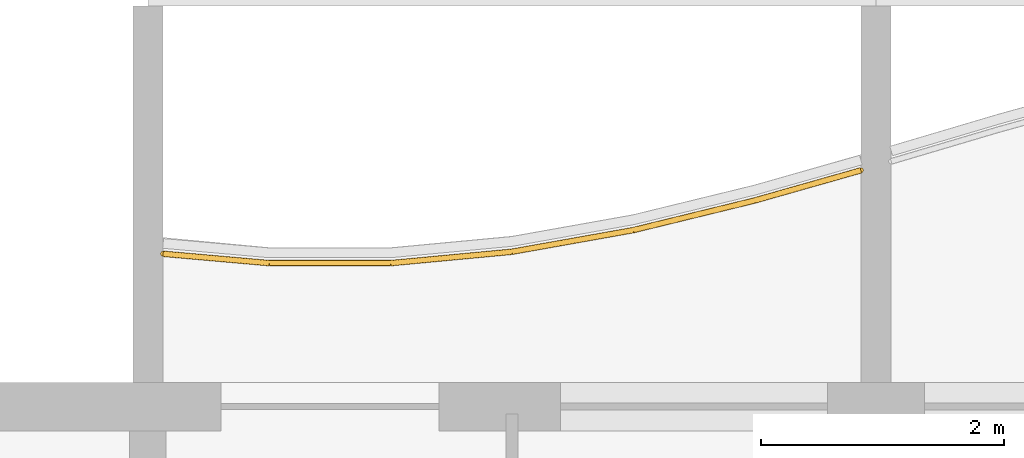
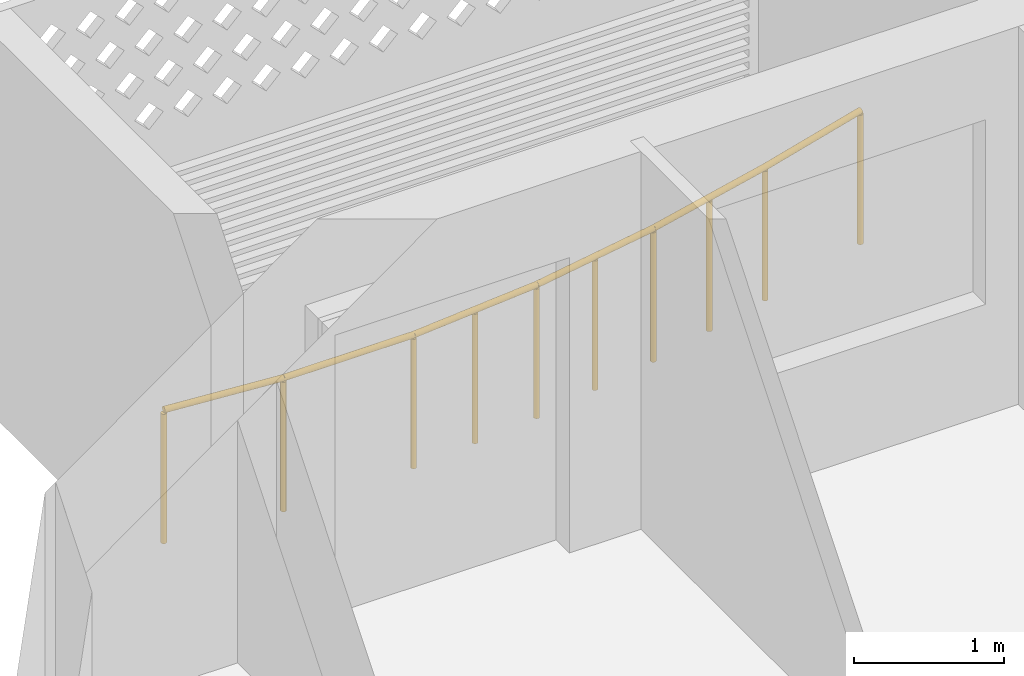
# One storey, part 17 of 32: 1 railing.
"""IFC4 building model written with IfcOpenShell, lengths in metres."""

from ifc_helpers import new_model, si_unit, direction, frame, origin, origin_2d, place, context, subcontext, project, spatial, circle, extrude, material, type_object, element, save


model = new_model("IFC4")

# Units and contexts
model_context = context("Model", 3, precision=1e-05, world=origin(), true_north=direction((0.0, 1.0)))
body_context = subcontext(model_context, "Body", "Model", "MODEL_VIEW")
ifc_project = project(units=[si_unit("LENGTHUNIT", "METRE"), si_unit("AREAUNIT", "SQUARE_METRE"), si_unit("VOLUMEUNIT", "CUBIC_METRE"), si_unit("PLANEANGLEUNIT", "RADIAN"), si_unit("MASSUNIT", "GRAM", prefix="KILO")], contexts=[model_context])

# Site, building, storey
site_placement = place(None, origin())
site = spatial("IfcSite", under=ifc_project, at=site_placement, CompositionType="ELEMENT")
building_placement = place(site_placement, origin())
building = spatial("IfcBuilding", under=site, at=building_placement, Name="Poui Terraces", CompositionType="ELEMENT")
storey_placement = place(building_placement, frame((0.0, 0.0, 152.10009765625)))
storey = spatial("IfcBuildingStorey", under=building, at=storey_placement, Name="L42", CompositionType="ELEMENT", Elevation=152.10009765625)

# Railing
ifc_material = material(Name="Painted steel fretwork", Category="steel")
railing_type = type_object("IfcRailingType", Name="BALCONY GUARD 1100", PredefinedType="GUARDRAIL", material=ifc_material)
railing_placement = place(storey_placement, frame((18.125, 43.6591796875, 0.0)))
element("IfcRailing", 1, at=railing_placement, inside=storey, type_object=railing_type, Name="BALCONY GUARD", PredefinedType="GUARDRAIL", context=body_context, shape_type="SweptSolid", body=[
    extrude(circle(Radius=0.02392578125, at=origin_2d()), frame((0.0, 0.0, 1.076171875), z_axis=(0.996135573706, -0.087828917771, 0.0), x_axis=(0.087828917771, 0.996135573706, 0.0)), (0.0, 0.0, 1.0), 0.87841796875),
    extrude(circle(Radius=0.02392578125, at=origin_2d()), frame((0.875, -0.0771484375, 1.076171875), z_axis=(1.0, 0.0, 0.0), x_axis=(0.0, 1.0, 0.0)), (0.0, 0.0, 1.0), 1.0),
    extrude(circle(Radius=0.02392578125, at=origin_2d()), frame((1.875, -0.0771484375, 1.076171875), z_axis=(0.9956116077, 0.093581657462, 0.0), x_axis=(-0.093581657462, 0.9956116077, 0.0)), (0.0, 0.0, 1.0), 1.00439453125),
    extrude(circle(Radius=0.02392578125, at=origin_2d()), frame((2.875, 0.016845703125, 1.076171875), z_axis=(0.984486939112, 0.175457877332, 0.0), x_axis=(-0.175457877332, 0.984486939112, 0.0)), (0.0, 0.0, 1.0), 1.015869140625),
    extrude(circle(Radius=0.02392578125, at=origin_2d()), frame((3.875, 0.195068359375, 1.076171875), z_axis=(0.971467046504, 0.2371745719, 0.0), x_axis=(-0.2371745719, 0.971467046504, 0.0)), (0.0, 0.0, 1.0), 1.029296875),
    extrude(circle(Radius=0.02392578125, at=origin_2d()), frame((4.875, 0.439208984375, 1.076171875), z_axis=(0.96201870295, 0.272983543778, 0.0), x_axis=(-0.272983543778, 0.96201870295, 0.0)), (0.0, 0.0, 1.0), 0.909423828125),
    extrude(circle(Radius=0.02099609375, at=origin_2d()), origin(), (0.0, 0.0, 1.0), 1.052001953125),
    extrude(circle(Radius=0.02099609375, at=origin_2d()), frame((0.875, -0.0771484375, 0.0)), (0.0, 0.0, 1.0), 1.052001953125),
    extrude(circle(Radius=0.02099609375, at=origin_2d()), frame((1.875, -0.0771484375, 0.0)), (0.0, 0.0, 1.0), 1.052001953125),
    extrude(circle(Radius=0.02099609375, at=origin_2d()), frame((2.375, -0.0302734375, 0.0)), (0.0, 0.0, 1.0), 1.052001953125),
    extrude(circle(Radius=0.02099609375, at=origin_2d()), frame((2.875, 0.016845703125, 0.0)), (0.0, 0.0, 1.0), 1.052001953125),
    extrude(circle(Radius=0.02099609375, at=origin_2d()), frame((3.375, 0.10595703125, 0.0)), (0.0, 0.0, 1.0), 1.052001953125),
    extrude(circle(Radius=0.02099609375, at=origin_2d()), frame((3.875, 0.195068359375, 0.0)), (0.0, 0.0, 1.0), 1.052001953125),
    extrude(circle(Radius=0.02099609375, at=origin_2d()), frame((4.375, 0.317138671875, 0.0)), (0.0, 0.0, 1.0), 1.052001953125),
    extrude(circle(Radius=0.02099609375, at=origin_2d()), frame((4.875, 0.439208984375, 0.0)), (0.0, 0.0, 1.0), 1.052001953125),
    extrude(circle(Radius=0.02099609375, at=origin_2d()), frame((5.75, 0.6875, 0.0)), (0.0, 0.0, 1.0), 1.052001953125),
])

save(model, "model.ifc")
